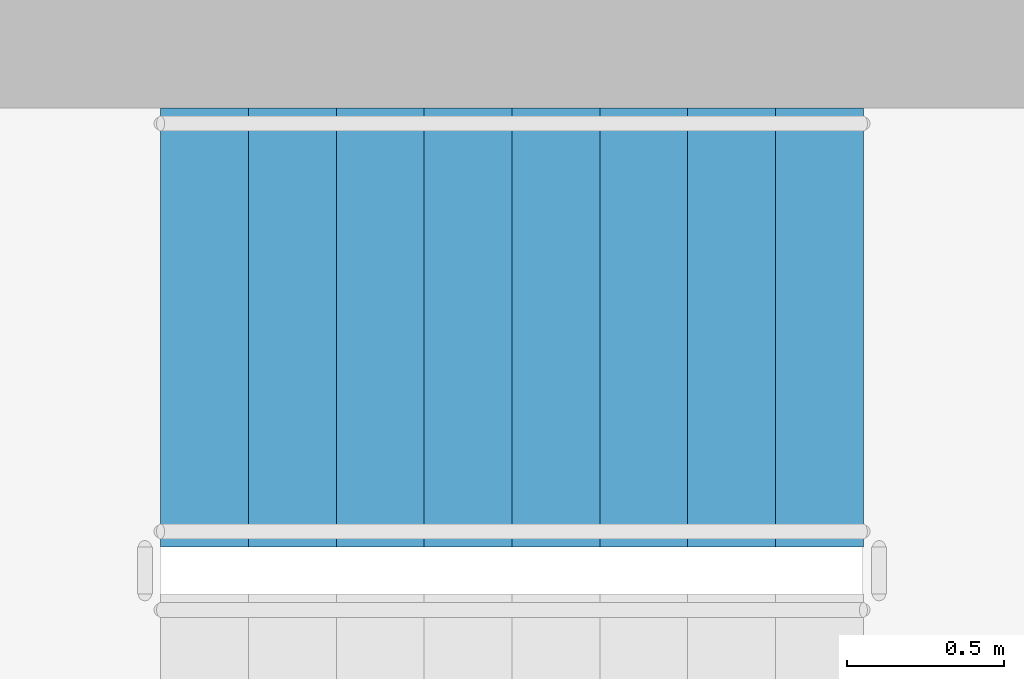
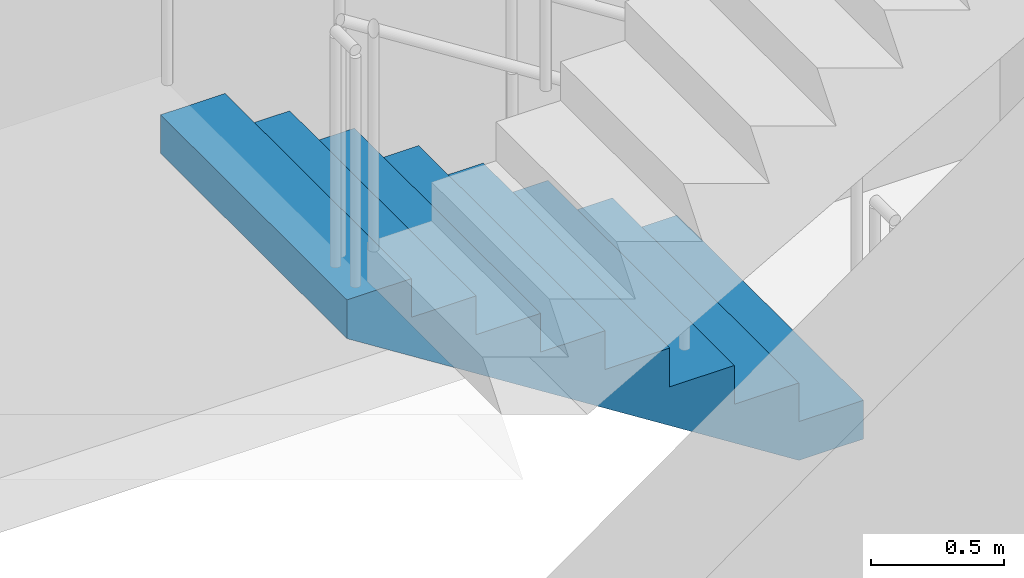
# One storey, part 8 of 12: 1 stair flight, 1 element without a shape of its own.
"""IFC4 building model written with IfcOpenShell, lengths in metres."""

from ifc_helpers import new_model, si_unit, direction, frame, origin, place, context, subcontext, project, spatial, polyline, outline, extrude, source, transform, mapped, material, type_object, element, aggregate, save


model = new_model("IFC4")

# Units and contexts
model_context = context("Model", 3, precision=1e-05, world=origin(), true_north=direction((0.0, 1.0)))
body_context = subcontext(model_context, "Body", "Model", "MODEL_VIEW")
ifc_project = project(units=[si_unit("LENGTHUNIT", "METRE"), si_unit("AREAUNIT", "SQUARE_METRE"), si_unit("VOLUMEUNIT", "CUBIC_METRE"), si_unit("PLANEANGLEUNIT", "RADIAN"), si_unit("MASSUNIT", "GRAM", prefix="KILO")], contexts=[model_context])

# Site, building, storey
site_placement = place(None, origin())
site = spatial("IfcSite", under=ifc_project, at=site_placement, CompositionType="ELEMENT")
building_placement = place(site_placement, origin())
building = spatial("IfcBuilding", under=site, at=building_placement, Name="Qafzar Sky-Pleat Residences", CompositionType="ELEMENT")
storey_placement = place(building_placement, frame((0.0, 0.0, 171.39990234375)))
storey = spatial("IfcBuildingStorey", under=building, at=storey_placement, Name="L51", CompositionType="ELEMENT", Elevation=171.39990234375)

# Stair, stair flight
ifc_material = material(Name="Concrete C40/50", Category="concrete")
stair_type = type_object("IfcStairType", Name="STAIR-H320", PredefinedType="HALF_TURN_STAIR", material=ifc_material)
stair_placement = place(storey_placement, origin())
stair = element("IfcStair", 1, at=stair_placement, inside=storey, type_object=stair_type, Name="L51 Protected Exit Stair ST2", PredefinedType="HALF_TURN_STAIR")
stair_flight_type = type_object("IfcStairFlightType", Name="FLIGHT-H320", PredefinedType="STRAIGHT", material=ifc_material)
shared_shape = source(origin(), body_context, "Body", "SweptSolid", [
    extrude(outline(polyline([(0.0, 0.0), (0.0, 0.177734375), (0.280029296875, 0.177734375), (0.280029296875, 0.35546875), (0.56005859375, 0.35546875), (0.56005859375, 0.533447265625), (0.840087890625, 0.533447265625), (0.840087890625, 0.711181640625), (1.1201171875, 0.711181640625), (1.1201171875, 0.888916015625), (1.39990234375, 0.888916015625), (1.39990234375, 1.066650390625), (1.679931640625, 1.066650390625), (1.679931640625, 1.244384765625), (1.9599609375, 1.244384765625), (1.9599609375, 1.422119140625), (2.239990234375, 1.422119140625), (2.239990234375, 1.60009765625), (2.239990234375, 1.24462890625), (0.27978515625, 0.0), (0.0, 0.0)])), frame((0.0, 0.699951171875, 0.0), z_axis=(0.0, -1.0, 0.0), x_axis=(1.0, 0.0, 0.0)), (0.0, 0.0, 1.0), 1.39990234375),
])
stair_flight_placement = place(storey_placement, frame((30.800048828125, 33.10009765625, 0.0), z_axis=(0.0, 0.0, 1.0), x_axis=(-1.0, 0.0, 0.0)))
stair_flight = element("IfcStairFlight", 2, at=stair_flight_placement, type_object=stair_flight_type, Name="ST2 flight 1", NumberOfRisers=9, NumberOfTreads=8, PredefinedType="STRAIGHT", RiserHeight=0.177777778, TreadLength=0.28, context=body_context, shape_type="MappedRepresentation", body=[
    mapped(shared_shape, transform((0.0, 0.0, 0.0), x_axis=(1.0, 0.0, 0.0), y_axis=(0.0, 1.0, 0.0), z_axis=(0.0, 0.0, 1.0), scale=1.0)),
])
aggregate(stair, [stair_flight])

save(model, "model.ifc")
